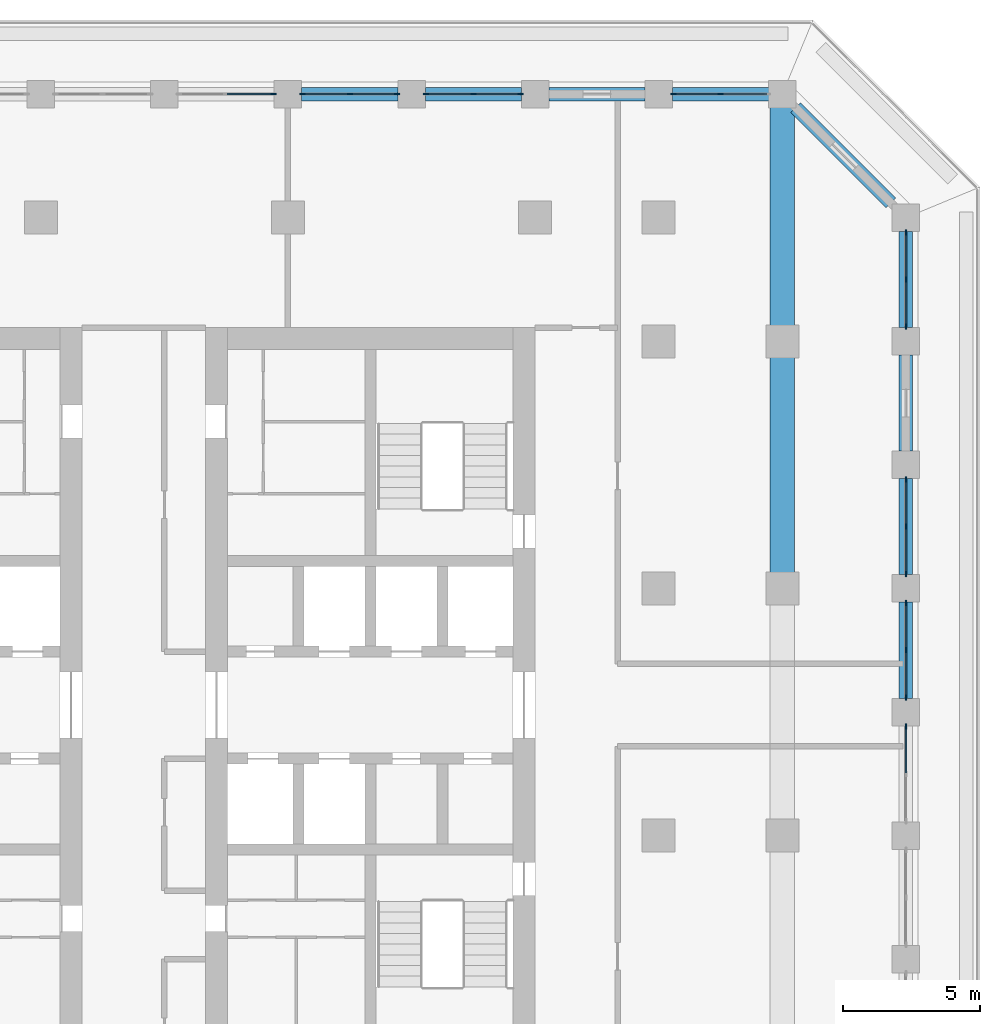
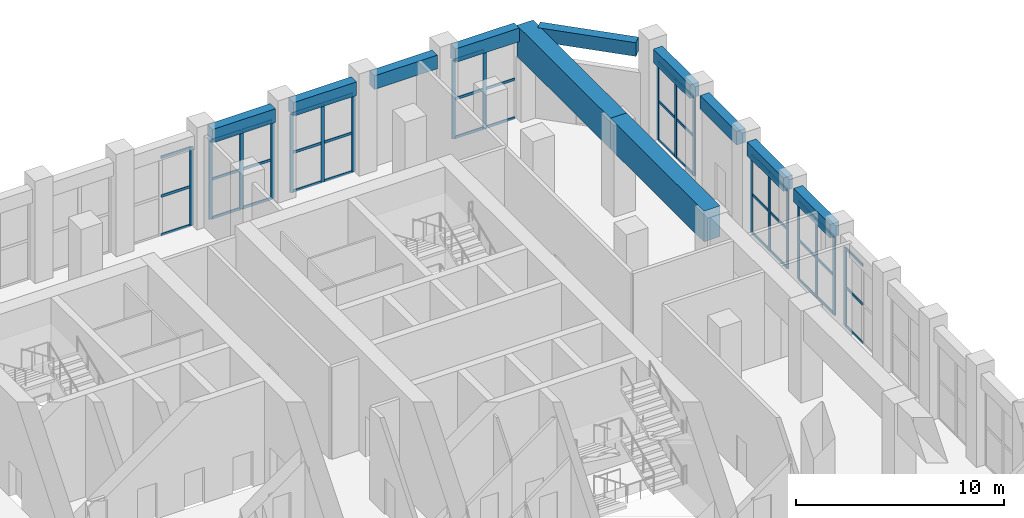
# One storey, part 8 of 25: 60 members, 11 beams, 8 elements without a shape of their own.
"""IFC4 building model written with IfcOpenShell, lengths in metres."""

from ifc_helpers import new_model, si_unit, direction, frame, origin, origin_2d, place, context, subcontext, project, spatial, rectangle, extrude, material, material_profile, profile_set, type_object, element, aggregate, save


model = new_model("IFC4")

# Units and contexts
model_context = context("Model", 3, precision=1e-05, world=origin(), true_north=direction((0.0, 1.0)))
body_context = subcontext(model_context, "Body", "Model", "MODEL_VIEW")
ifc_project = project(units=[si_unit("LENGTHUNIT", "METRE"), si_unit("AREAUNIT", "SQUARE_METRE"), si_unit("VOLUMEUNIT", "CUBIC_METRE"), si_unit("PLANEANGLEUNIT", "RADIAN"), si_unit("MASSUNIT", "GRAM", prefix="KILO")], contexts=[model_context])

# Site, building, storey
site_placement = place(None, origin())
site = spatial("IfcSite", under=ifc_project, at=site_placement, CompositionType="ELEMENT")
building_placement = place(site_placement, origin())
building = spatial("IfcBuilding", under=site, at=building_placement, Name="Corbel Stack Research Tower", CompositionType="ELEMENT")
storey_placement = place(building_placement, frame((0.0, 0.0, 220.199951171875)))
storey = spatial("IfcBuildingStorey", under=building, at=storey_placement, Name="L50", CompositionType="ELEMENT", Elevation=220.199951171875)

# Curtain wall, member
ifc_material_1 = material(Name="Aluminium frame, clear glass", Category="aluminium")
curtain_wall_type = type_object("IfcCurtainWallType", Name="Upper amenity floor curtain wall CW3", PredefinedType="NOTDEFINED", material=ifc_material_1)
curtain_wall_1_placement = place(storey_placement, origin())
curtain_wall_1 = element("IfcCurtainWall", 1, at=curtain_wall_1_placement, inside=storey, type_object=curtain_wall_type, Name="Curtain wall CW3 L50 E06", PredefinedType="NOTDEFINED")
ifc_material_2 = material(Name="Aluminium mullion", Category="aluminium")
ifc_material_profile_1 = material_profile(ifc_material_2, rectangle(XDim=0.06005859375, YDim=0.199951171875, at=origin_2d()), Name="Mullion 60 x 200")
ifc_profile_set_1 = profile_set([ifc_material_profile_1], Name="Aluminium mullion")
member_type_1 = type_object("IfcMemberType", Name="Curtain wall mullion 60 x 200", PredefinedType="MULLION", material=ifc_profile_set_1)
member_1_placement = place(storey_placement, frame((31.5, 3.969970703125, 0.0), z_axis=(0.0, 0.0, 1.0), x_axis=(-1.0, 0.0, 0.0)))
member_1 = element("IfcMember", 2, at=member_1_placement, type_object=member_type_1, Name="CW3 mullion 3", PredefinedType="MULLION", context=body_context, shape_type="SweptSolid", body=[
    extrude(rectangle(XDim=0.06005859375, YDim=0.199951171875, at=origin_2d()), origin(), (0.0, 0.0, 1.0), 4.60009765625),
])

# Curtain wall, members
curtain_wall_2_placement = place(storey_placement, origin())
curtain_wall_2 = element("IfcCurtainWall", 3, at=curtain_wall_2_placement, inside=storey, type_object=curtain_wall_type, Name="Curtain wall CW3 L50 E07", PredefinedType="NOTDEFINED")
member_2_placement = place(storey_placement, frame((31.5, 5.030029296875, 0.0), z_axis=(0.0, 0.0, 1.0), x_axis=(-1.0, 0.0, 0.0)))
member_2 = element("IfcMember", 4, at=member_2_placement, type_object=member_type_1, Name="CW3 mullion 1", PredefinedType="MULLION", context=body_context, shape_type="SweptSolid", body=[
    extrude(rectangle(XDim=0.06005859375, YDim=0.199951171875, at=origin_2d()), origin(), (0.0, 0.0, 1.0), 4.60009765625),
])
member_3_placement = place(storey_placement, frame((31.5, 6.75, 0.0), z_axis=(0.0, 0.0, 1.0), x_axis=(-1.0, 0.0, 0.0)))
member_3 = element("IfcMember", 5, at=member_3_placement, type_object=member_type_1, Name="CW3 mullion 2", PredefinedType="MULLION", context=body_context, shape_type="SweptSolid", body=[
    extrude(rectangle(XDim=0.06005859375, YDim=0.199951171875, at=origin_2d()), origin(), (0.0, 0.0, 1.0), 4.60009765625),
])
member_4_placement = place(storey_placement, frame((31.5, 8.469970703125, 0.0), z_axis=(0.0, 0.0, 1.0), x_axis=(-1.0, 0.0, 0.0)))
member_4 = element("IfcMember", 6, at=member_4_placement, type_object=member_type_1, Name="CW3 mullion 3", PredefinedType="MULLION", context=body_context, shape_type="SweptSolid", body=[
    extrude(rectangle(XDim=0.06005859375, YDim=0.199951171875, at=origin_2d()), origin(), (0.0, 0.0, 1.0), 4.60009765625),
])

curtain_wall_3_placement = place(storey_placement, origin())
curtain_wall_3 = element("IfcCurtainWall", 7, at=curtain_wall_3_placement, inside=storey, type_object=curtain_wall_type, Name="Curtain wall CW3 L50 E08", PredefinedType="NOTDEFINED")
member_5_placement = place(storey_placement, frame((31.5, 9.530029296875, 0.0), z_axis=(0.0, 0.0, 1.0), x_axis=(-1.0, 0.0, 0.0)))
member_5 = element("IfcMember", 8, at=member_5_placement, type_object=member_type_1, Name="CW3 mullion 1", PredefinedType="MULLION", context=body_context, shape_type="SweptSolid", body=[
    extrude(rectangle(XDim=0.06005859375, YDim=0.199951171875, at=origin_2d()), origin(), (0.0, 0.0, 1.0), 4.60009765625),
])
member_6_placement = place(storey_placement, frame((31.5, 11.25, 0.0), z_axis=(0.0, 0.0, 1.0), x_axis=(-1.0, 0.0, 0.0)))
member_6 = element("IfcMember", 9, at=member_6_placement, type_object=member_type_1, Name="CW3 mullion 2", PredefinedType="MULLION", context=body_context, shape_type="SweptSolid", body=[
    extrude(rectangle(XDim=0.06005859375, YDim=0.199951171875, at=origin_2d()), origin(), (0.0, 0.0, 1.0), 4.60009765625),
])
member_7_placement = place(storey_placement, frame((31.5, 12.969970703125, 0.0), z_axis=(0.0, 0.0, 1.0), x_axis=(-1.0, 0.0, 0.0)))
member_7 = element("IfcMember", 10, at=member_7_placement, type_object=member_type_1, Name="CW3 mullion 3", PredefinedType="MULLION", context=body_context, shape_type="SweptSolid", body=[
    extrude(rectangle(XDim=0.06005859375, YDim=0.199951171875, at=origin_2d()), origin(), (0.0, 0.0, 1.0), 4.60009765625),
])

curtain_wall_4_placement = place(storey_placement, origin())
curtain_wall_4 = element("IfcCurtainWall", 11, at=curtain_wall_4_placement, inside=storey, type_object=curtain_wall_type, Name="Curtain wall CW3 L50 E10", PredefinedType="NOTDEFINED")
member_8_placement = place(storey_placement, frame((31.5, 18.530029296875, 0.0), z_axis=(0.0, 0.0, 1.0), x_axis=(-1.0, 0.0, 0.0)))
member_8 = element("IfcMember", 12, at=member_8_placement, type_object=member_type_1, Name="CW3 mullion 1", PredefinedType="MULLION", context=body_context, shape_type="SweptSolid", body=[
    extrude(rectangle(XDim=0.06005859375, YDim=0.199951171875, at=origin_2d()), origin(), (0.0, 0.0, 1.0), 4.60009765625),
])
member_9_placement = place(storey_placement, frame((31.5, 20.25, 0.0), z_axis=(0.0, 0.0, 1.0), x_axis=(-1.0, 0.0, 0.0)))
member_9 = element("IfcMember", 13, at=member_9_placement, type_object=member_type_1, Name="CW3 mullion 2", PredefinedType="MULLION", context=body_context, shape_type="SweptSolid", body=[
    extrude(rectangle(XDim=0.06005859375, YDim=0.199951171875, at=origin_2d()), origin(), (0.0, 0.0, 1.0), 4.60009765625),
])
member_10_placement = place(storey_placement, frame((31.5, 21.969970703125, 0.0), z_axis=(0.0, 0.0, 1.0), x_axis=(-1.0, 0.0, 0.0)))
member_10 = element("IfcMember", 14, at=member_10_placement, type_object=member_type_1, Name="CW3 mullion 3", PredefinedType="MULLION", context=body_context, shape_type="SweptSolid", body=[
    extrude(rectangle(XDim=0.06005859375, YDim=0.199951171875, at=origin_2d()), origin(), (0.0, 0.0, 1.0), 4.60009765625),
])

curtain_wall_5_placement = place(storey_placement, origin())
curtain_wall_5 = element("IfcCurtainWall", 15, at=curtain_wall_5_placement, inside=storey, type_object=curtain_wall_type, Name="Curtain wall CW3 L50 N01", PredefinedType="NOTDEFINED")
member_11_placement = place(storey_placement, frame((24.75, 27.0, 0.0), z_axis=(0.0, 0.0, 1.0), x_axis=(0.0, -1.0, 0.0)))
member_11 = element("IfcMember", 16, at=member_11_placement, type_object=member_type_1, Name="CW3 mullion 2", PredefinedType="MULLION", context=body_context, shape_type="SweptSolid", body=[
    extrude(rectangle(XDim=0.06005859375, YDim=0.199951171875, at=origin_2d()), origin(), (0.0, 0.0, 1.0), 4.60009765625),
])
member_12_placement = place(storey_placement, frame((23.030029296875, 27.0, 0.0), z_axis=(0.0, 0.0, 1.0), x_axis=(0.0, -1.0, 0.0)))
member_12 = element("IfcMember", 17, at=member_12_placement, type_object=member_type_1, Name="CW3 mullion 3", PredefinedType="MULLION", context=body_context, shape_type="SweptSolid", body=[
    extrude(rectangle(XDim=0.06005859375, YDim=0.199951171875, at=origin_2d()), origin(), (0.0, 0.0, 1.0), 4.60009765625),
])

curtain_wall_6_placement = place(storey_placement, origin())
curtain_wall_6 = element("IfcCurtainWall", 18, at=curtain_wall_6_placement, inside=storey, type_object=curtain_wall_type, Name="Curtain wall CW3 L50 N03", PredefinedType="NOTDEFINED")
member_13_placement = place(storey_placement, frame((17.469970703125, 27.0, 0.0), z_axis=(0.0, 0.0, 1.0), x_axis=(0.0, -1.0, 0.0)))
member_13 = element("IfcMember", 19, at=member_13_placement, type_object=member_type_1, Name="CW3 mullion 1", PredefinedType="MULLION", context=body_context, shape_type="SweptSolid", body=[
    extrude(rectangle(XDim=0.06005859375, YDim=0.199951171875, at=origin_2d()), origin(), (0.0, 0.0, 1.0), 4.60009765625),
])
member_14_placement = place(storey_placement, frame((15.75, 27.0, 0.0), z_axis=(0.0, 0.0, 1.0), x_axis=(0.0, -1.0, 0.0)))
member_14 = element("IfcMember", 20, at=member_14_placement, type_object=member_type_1, Name="CW3 mullion 2", PredefinedType="MULLION", context=body_context, shape_type="SweptSolid", body=[
    extrude(rectangle(XDim=0.06005859375, YDim=0.199951171875, at=origin_2d()), origin(), (0.0, 0.0, 1.0), 4.60009765625),
])
member_15_placement = place(storey_placement, frame((14.030029296875, 27.0, 0.0), z_axis=(0.0, 0.0, 1.0), x_axis=(0.0, -1.0, 0.0)))
member_15 = element("IfcMember", 21, at=member_15_placement, type_object=member_type_1, Name="CW3 mullion 3", PredefinedType="MULLION", context=body_context, shape_type="SweptSolid", body=[
    extrude(rectangle(XDim=0.06005859375, YDim=0.199951171875, at=origin_2d()), origin(), (0.0, 0.0, 1.0), 4.60009765625),
])

curtain_wall_7_placement = place(storey_placement, origin())
curtain_wall_7 = element("IfcCurtainWall", 22, at=curtain_wall_7_placement, inside=storey, type_object=curtain_wall_type, Name="Curtain wall CW3 L50 N04", PredefinedType="NOTDEFINED")
member_16_placement = place(storey_placement, frame((12.969970703125, 27.0, 0.0), z_axis=(0.0, 0.0, 1.0), x_axis=(0.0, -1.0, 0.0)))
member_16 = element("IfcMember", 23, at=member_16_placement, type_object=member_type_1, Name="CW3 mullion 1", PredefinedType="MULLION", context=body_context, shape_type="SweptSolid", body=[
    extrude(rectangle(XDim=0.06005859375, YDim=0.199951171875, at=origin_2d()), origin(), (0.0, 0.0, 1.0), 4.60009765625),
])
member_17_placement = place(storey_placement, frame((11.25, 27.0, 0.0), z_axis=(0.0, 0.0, 1.0), x_axis=(0.0, -1.0, 0.0)))
member_17 = element("IfcMember", 24, at=member_17_placement, type_object=member_type_1, Name="CW3 mullion 2", PredefinedType="MULLION", context=body_context, shape_type="SweptSolid", body=[
    extrude(rectangle(XDim=0.06005859375, YDim=0.199951171875, at=origin_2d()), origin(), (0.0, 0.0, 1.0), 4.60009765625),
])
member_18_placement = place(storey_placement, frame((9.530029296875, 27.0, 0.0), z_axis=(0.0, 0.0, 1.0), x_axis=(0.0, -1.0, 0.0)))
member_18 = element("IfcMember", 25, at=member_18_placement, type_object=member_type_1, Name="CW3 mullion 3", PredefinedType="MULLION", context=body_context, shape_type="SweptSolid", body=[
    extrude(rectangle(XDim=0.06005859375, YDim=0.199951171875, at=origin_2d()), origin(), (0.0, 0.0, 1.0), 4.60009765625),
])

# Curtain wall, member
curtain_wall_8_placement = place(storey_placement, origin())
curtain_wall_8 = element("IfcCurtainWall", 26, at=curtain_wall_8_placement, inside=storey, type_object=curtain_wall_type, Name="Curtain wall CW3 L50 N05", PredefinedType="NOTDEFINED")
member_19_placement = place(storey_placement, frame((8.469970703125, 27.0, 0.0), z_axis=(0.0, 0.0, 1.0), x_axis=(0.0, -1.0, 0.0)))
member_19 = element("IfcMember", 27, at=member_19_placement, type_object=member_type_1, Name="CW3 mullion 1", PredefinedType="MULLION", context=body_context, shape_type="SweptSolid", body=[
    extrude(rectangle(XDim=0.06005859375, YDim=0.199951171875, at=origin_2d()), origin(), (0.0, 0.0, 1.0), 4.60009765625),
])

# Member
ifc_material_3 = material(Name="Aluminium transom", Category="aluminium")
ifc_material_profile_2 = material_profile(ifc_material_3, rectangle(XDim=0.06005859375, YDim=0.14990234375, at=origin_2d()), Name="Transom 60 x 150")
ifc_profile_set_2 = profile_set([ifc_material_profile_2], Name="Aluminium transom")
member_type_2 = type_object("IfcMemberType", Name="Curtain wall transom 60 x 150", PredefinedType="USERDEFINED", material=ifc_profile_set_2)
member_20_placement = place(storey_placement, frame((31.5, 2.280029296875, 0.030029296875), z_axis=(0.0, 1.0, 0.0), x_axis=(-1.0, 0.0, 0.0)))
member_20 = element("IfcMember", 28, at=member_20_placement, type_object=member_type_2, Name="CW3 transom 2.1", ObjectType="TRANSOM", PredefinedType="USERDEFINED", context=body_context, shape_type="SweptSolid", body=[
    extrude(rectangle(XDim=0.06005859375, YDim=0.14990234375, at=origin_2d()), origin(), (0.0, 0.0, 1.0), 1.659912109375),
])

member_21_placement = place(storey_placement, frame((31.5, 2.280029296875, 2.300048828125), z_axis=(0.0, 1.0, 0.0), x_axis=(-1.0, 0.0, 0.0)))
member_21 = element("IfcMember", 29, at=member_21_placement, type_object=member_type_2, Name="CW3 transom 2.2", ObjectType="TRANSOM", PredefinedType="USERDEFINED", context=body_context, shape_type="SweptSolid", body=[
    extrude(rectangle(XDim=0.06005859375, YDim=0.14990234375, at=origin_2d()), origin(), (0.0, 0.0, 1.0), 1.659912109375),
])

member_22_placement = place(storey_placement, frame((31.5, 2.280029296875, 4.570068359375), z_axis=(0.0, 1.0, 0.0), x_axis=(-1.0, 0.0, 0.0)))
member_22 = element("IfcMember", 30, at=member_22_placement, type_object=member_type_2, Name="CW3 transom 2.3", ObjectType="TRANSOM", PredefinedType="USERDEFINED", context=body_context, shape_type="SweptSolid", body=[
    extrude(rectangle(XDim=0.06005859375, YDim=0.14990234375, at=origin_2d()), origin(), (0.0, 0.0, 1.0), 1.659912109375),
])

aggregate(curtain_wall_1, [member_1, member_20, member_21, member_22])

member_23_placement = place(storey_placement, frame((31.5, 5.06005859375, 0.030029296875), z_axis=(0.0, 1.0, 0.0), x_axis=(-1.0, 0.0, 0.0)))
member_23 = element("IfcMember", 31, at=member_23_placement, type_object=member_type_2, Name="CW3 transom 1.1", ObjectType="TRANSOM", PredefinedType="USERDEFINED", context=body_context, shape_type="SweptSolid", body=[
    extrude(rectangle(XDim=0.06005859375, YDim=0.14990234375, at=origin_2d()), origin(), (0.0, 0.0, 1.0), 1.659912109375),
])

member_24_placement = place(storey_placement, frame((31.5, 5.06005859375, 2.300048828125), z_axis=(0.0, 1.0, 0.0), x_axis=(-1.0, 0.0, 0.0)))
member_24 = element("IfcMember", 32, at=member_24_placement, type_object=member_type_2, Name="CW3 transom 1.2", ObjectType="TRANSOM", PredefinedType="USERDEFINED", context=body_context, shape_type="SweptSolid", body=[
    extrude(rectangle(XDim=0.06005859375, YDim=0.14990234375, at=origin_2d()), origin(), (0.0, 0.0, 1.0), 1.659912109375),
])

member_25_placement = place(storey_placement, frame((31.5, 5.06005859375, 4.570068359375), z_axis=(0.0, 1.0, 0.0), x_axis=(-1.0, 0.0, 0.0)))
member_25 = element("IfcMember", 33, at=member_25_placement, type_object=member_type_2, Name="CW3 transom 1.3", ObjectType="TRANSOM", PredefinedType="USERDEFINED", context=body_context, shape_type="SweptSolid", body=[
    extrude(rectangle(XDim=0.06005859375, YDim=0.14990234375, at=origin_2d()), origin(), (0.0, 0.0, 1.0), 1.659912109375),
])

member_26_placement = place(storey_placement, frame((31.5, 6.780029296875, 0.030029296875), z_axis=(0.0, 1.0, 0.0), x_axis=(-1.0, 0.0, 0.0)))
member_26 = element("IfcMember", 34, at=member_26_placement, type_object=member_type_2, Name="CW3 transom 2.1", ObjectType="TRANSOM", PredefinedType="USERDEFINED", context=body_context, shape_type="SweptSolid", body=[
    extrude(rectangle(XDim=0.06005859375, YDim=0.14990234375, at=origin_2d()), origin(), (0.0, 0.0, 1.0), 1.659912109375),
])

member_27_placement = place(storey_placement, frame((31.5, 6.780029296875, 2.300048828125), z_axis=(0.0, 1.0, 0.0), x_axis=(-1.0, 0.0, 0.0)))
member_27 = element("IfcMember", 35, at=member_27_placement, type_object=member_type_2, Name="CW3 transom 2.2", ObjectType="TRANSOM", PredefinedType="USERDEFINED", context=body_context, shape_type="SweptSolid", body=[
    extrude(rectangle(XDim=0.06005859375, YDim=0.14990234375, at=origin_2d()), origin(), (0.0, 0.0, 1.0), 1.659912109375),
])

member_28_placement = place(storey_placement, frame((31.5, 6.780029296875, 4.570068359375), z_axis=(0.0, 1.0, 0.0), x_axis=(-1.0, 0.0, 0.0)))
member_28 = element("IfcMember", 36, at=member_28_placement, type_object=member_type_2, Name="CW3 transom 2.3", ObjectType="TRANSOM", PredefinedType="USERDEFINED", context=body_context, shape_type="SweptSolid", body=[
    extrude(rectangle(XDim=0.06005859375, YDim=0.14990234375, at=origin_2d()), origin(), (0.0, 0.0, 1.0), 1.659912109375),
])

aggregate(curtain_wall_2, [member_2, member_3, member_4, member_23, member_24, member_25, member_26, member_27, member_28])

member_29_placement = place(storey_placement, frame((31.5, 9.56005859375, 0.030029296875), z_axis=(0.0, 1.0, 0.0), x_axis=(-1.0, 0.0, 0.0)))
member_29 = element("IfcMember", 37, at=member_29_placement, type_object=member_type_2, Name="CW3 transom 1.1", ObjectType="TRANSOM", PredefinedType="USERDEFINED", context=body_context, shape_type="SweptSolid", body=[
    extrude(rectangle(XDim=0.06005859375, YDim=0.14990234375, at=origin_2d()), origin(), (0.0, 0.0, 1.0), 1.659912109375),
])

member_30_placement = place(storey_placement, frame((31.5, 9.56005859375, 2.300048828125), z_axis=(0.0, 1.0, 0.0), x_axis=(-1.0, 0.0, 0.0)))
member_30 = element("IfcMember", 38, at=member_30_placement, type_object=member_type_2, Name="CW3 transom 1.2", ObjectType="TRANSOM", PredefinedType="USERDEFINED", context=body_context, shape_type="SweptSolid", body=[
    extrude(rectangle(XDim=0.06005859375, YDim=0.14990234375, at=origin_2d()), origin(), (0.0, 0.0, 1.0), 1.659912109375),
])

member_31_placement = place(storey_placement, frame((31.5, 9.56005859375, 4.570068359375), z_axis=(0.0, 1.0, 0.0), x_axis=(-1.0, 0.0, 0.0)))
member_31 = element("IfcMember", 39, at=member_31_placement, type_object=member_type_2, Name="CW3 transom 1.3", ObjectType="TRANSOM", PredefinedType="USERDEFINED", context=body_context, shape_type="SweptSolid", body=[
    extrude(rectangle(XDim=0.06005859375, YDim=0.14990234375, at=origin_2d()), origin(), (0.0, 0.0, 1.0), 1.659912109375),
])

member_32_placement = place(storey_placement, frame((31.5, 11.280029296875, 0.030029296875), z_axis=(0.0, 1.0, 0.0), x_axis=(-1.0, 0.0, 0.0)))
member_32 = element("IfcMember", 40, at=member_32_placement, type_object=member_type_2, Name="CW3 transom 2.1", ObjectType="TRANSOM", PredefinedType="USERDEFINED", context=body_context, shape_type="SweptSolid", body=[
    extrude(rectangle(XDim=0.06005859375, YDim=0.14990234375, at=origin_2d()), origin(), (0.0, 0.0, 1.0), 1.659912109375),
])

member_33_placement = place(storey_placement, frame((31.5, 11.280029296875, 2.300048828125), z_axis=(0.0, 1.0, 0.0), x_axis=(-1.0, 0.0, 0.0)))
member_33 = element("IfcMember", 41, at=member_33_placement, type_object=member_type_2, Name="CW3 transom 2.2", ObjectType="TRANSOM", PredefinedType="USERDEFINED", context=body_context, shape_type="SweptSolid", body=[
    extrude(rectangle(XDim=0.06005859375, YDim=0.14990234375, at=origin_2d()), origin(), (0.0, 0.0, 1.0), 1.659912109375),
])

member_34_placement = place(storey_placement, frame((31.5, 11.280029296875, 4.570068359375), z_axis=(0.0, 1.0, 0.0), x_axis=(-1.0, 0.0, 0.0)))
member_34 = element("IfcMember", 42, at=member_34_placement, type_object=member_type_2, Name="CW3 transom 2.3", ObjectType="TRANSOM", PredefinedType="USERDEFINED", context=body_context, shape_type="SweptSolid", body=[
    extrude(rectangle(XDim=0.06005859375, YDim=0.14990234375, at=origin_2d()), origin(), (0.0, 0.0, 1.0), 1.659912109375),
])

aggregate(curtain_wall_3, [member_5, member_6, member_7, member_29, member_30, member_31, member_32, member_33, member_34])

member_35_placement = place(storey_placement, frame((31.5, 18.56005859375, 0.030029296875), z_axis=(0.0, 1.0, 0.0), x_axis=(-1.0, 0.0, 0.0)))
member_35 = element("IfcMember", 43, at=member_35_placement, type_object=member_type_2, Name="CW3 transom 1.1", ObjectType="TRANSOM", PredefinedType="USERDEFINED", context=body_context, shape_type="SweptSolid", body=[
    extrude(rectangle(XDim=0.06005859375, YDim=0.14990234375, at=origin_2d()), origin(), (0.0, 0.0, 1.0), 1.659912109375),
])

member_36_placement = place(storey_placement, frame((31.5, 18.56005859375, 2.300048828125), z_axis=(0.0, 1.0, 0.0), x_axis=(-1.0, 0.0, 0.0)))
member_36 = element("IfcMember", 44, at=member_36_placement, type_object=member_type_2, Name="CW3 transom 1.2", ObjectType="TRANSOM", PredefinedType="USERDEFINED", context=body_context, shape_type="SweptSolid", body=[
    extrude(rectangle(XDim=0.06005859375, YDim=0.14990234375, at=origin_2d()), origin(), (0.0, 0.0, 1.0), 1.659912109375),
])

member_37_placement = place(storey_placement, frame((31.5, 18.56005859375, 4.570068359375), z_axis=(0.0, 1.0, 0.0), x_axis=(-1.0, 0.0, 0.0)))
member_37 = element("IfcMember", 45, at=member_37_placement, type_object=member_type_2, Name="CW3 transom 1.3", ObjectType="TRANSOM", PredefinedType="USERDEFINED", context=body_context, shape_type="SweptSolid", body=[
    extrude(rectangle(XDim=0.06005859375, YDim=0.14990234375, at=origin_2d()), origin(), (0.0, 0.0, 1.0), 1.659912109375),
])

member_38_placement = place(storey_placement, frame((31.5, 20.280029296875, 0.030029296875), z_axis=(0.0, 1.0, 0.0), x_axis=(-1.0, 0.0, 0.0)))
member_38 = element("IfcMember", 46, at=member_38_placement, type_object=member_type_2, Name="CW3 transom 2.1", ObjectType="TRANSOM", PredefinedType="USERDEFINED", context=body_context, shape_type="SweptSolid", body=[
    extrude(rectangle(XDim=0.06005859375, YDim=0.14990234375, at=origin_2d()), origin(), (0.0, 0.0, 1.0), 1.659912109375),
])

member_39_placement = place(storey_placement, frame((31.5, 20.280029296875, 2.300048828125), z_axis=(0.0, 1.0, 0.0), x_axis=(-1.0, 0.0, 0.0)))
member_39 = element("IfcMember", 47, at=member_39_placement, type_object=member_type_2, Name="CW3 transom 2.2", ObjectType="TRANSOM", PredefinedType="USERDEFINED", context=body_context, shape_type="SweptSolid", body=[
    extrude(rectangle(XDim=0.06005859375, YDim=0.14990234375, at=origin_2d()), origin(), (0.0, 0.0, 1.0), 1.659912109375),
])

member_40_placement = place(storey_placement, frame((31.5, 20.280029296875, 4.570068359375), z_axis=(0.0, 1.0, 0.0), x_axis=(-1.0, 0.0, 0.0)))
member_40 = element("IfcMember", 48, at=member_40_placement, type_object=member_type_2, Name="CW3 transom 2.3", ObjectType="TRANSOM", PredefinedType="USERDEFINED", context=body_context, shape_type="SweptSolid", body=[
    extrude(rectangle(XDim=0.06005859375, YDim=0.14990234375, at=origin_2d()), origin(), (0.0, 0.0, 1.0), 1.659912109375),
])

aggregate(curtain_wall_4, [member_8, member_9, member_10, member_35, member_36, member_37, member_38, member_39, member_40])

member_41_placement = place(storey_placement, frame((26.43994140625, 27.0, 0.030029296875), z_axis=(-1.0, 0.0, 0.0), x_axis=(0.0, -1.0, 0.0)))
member_41 = element("IfcMember", 49, at=member_41_placement, type_object=member_type_2, Name="CW3 transom 1.1", ObjectType="TRANSOM", PredefinedType="USERDEFINED", context=body_context, shape_type="SweptSolid", body=[
    extrude(rectangle(XDim=0.06005859375, YDim=0.14990234375, at=origin_2d()), origin(), (0.0, 0.0, 1.0), 1.659912109375),
])

member_42_placement = place(storey_placement, frame((26.43994140625, 27.0, 2.300048828125), z_axis=(-1.0, 0.0, 0.0), x_axis=(0.0, -1.0, 0.0)))
member_42 = element("IfcMember", 50, at=member_42_placement, type_object=member_type_2, Name="CW3 transom 1.2", ObjectType="TRANSOM", PredefinedType="USERDEFINED", context=body_context, shape_type="SweptSolid", body=[
    extrude(rectangle(XDim=0.06005859375, YDim=0.14990234375, at=origin_2d()), origin(), (0.0, 0.0, 1.0), 1.659912109375),
])

member_43_placement = place(storey_placement, frame((24.719970703125, 27.0, 0.030029296875), z_axis=(-1.0, 0.0, 0.0), x_axis=(0.0, -1.0, 0.0)))
member_43 = element("IfcMember", 51, at=member_43_placement, type_object=member_type_2, Name="CW3 transom 2.1", ObjectType="TRANSOM", PredefinedType="USERDEFINED", context=body_context, shape_type="SweptSolid", body=[
    extrude(rectangle(XDim=0.06005859375, YDim=0.14990234375, at=origin_2d()), origin(), (0.0, 0.0, 1.0), 1.659912109375),
])

member_44_placement = place(storey_placement, frame((24.719970703125, 27.0, 2.300048828125), z_axis=(-1.0, 0.0, 0.0), x_axis=(0.0, -1.0, 0.0)))
member_44 = element("IfcMember", 52, at=member_44_placement, type_object=member_type_2, Name="CW3 transom 2.2", ObjectType="TRANSOM", PredefinedType="USERDEFINED", context=body_context, shape_type="SweptSolid", body=[
    extrude(rectangle(XDim=0.06005859375, YDim=0.14990234375, at=origin_2d()), origin(), (0.0, 0.0, 1.0), 1.659912109375),
])

member_45_placement = place(storey_placement, frame((24.719970703125, 27.0, 4.570068359375), z_axis=(-1.0, 0.0, 0.0), x_axis=(0.0, -1.0, 0.0)))
member_45 = element("IfcMember", 53, at=member_45_placement, type_object=member_type_2, Name="CW3 transom 2.3", ObjectType="TRANSOM", PredefinedType="USERDEFINED", context=body_context, shape_type="SweptSolid", body=[
    extrude(rectangle(XDim=0.06005859375, YDim=0.14990234375, at=origin_2d()), origin(), (0.0, 0.0, 1.0), 1.659912109375),
])

aggregate(curtain_wall_5, [member_11, member_12, member_41, member_42, member_43, member_44, member_45])

member_46_placement = place(storey_placement, frame((17.43994140625, 27.0, 0.030029296875), z_axis=(-1.0, 0.0, 0.0), x_axis=(0.0, -1.0, 0.0)))
member_46 = element("IfcMember", 54, at=member_46_placement, type_object=member_type_2, Name="CW3 transom 1.1", ObjectType="TRANSOM", PredefinedType="USERDEFINED", context=body_context, shape_type="SweptSolid", body=[
    extrude(rectangle(XDim=0.06005859375, YDim=0.14990234375, at=origin_2d()), origin(), (0.0, 0.0, 1.0), 1.659912109375),
])

member_47_placement = place(storey_placement, frame((17.43994140625, 27.0, 2.300048828125), z_axis=(-1.0, 0.0, 0.0), x_axis=(0.0, -1.0, 0.0)))
member_47 = element("IfcMember", 55, at=member_47_placement, type_object=member_type_2, Name="CW3 transom 1.2", ObjectType="TRANSOM", PredefinedType="USERDEFINED", context=body_context, shape_type="SweptSolid", body=[
    extrude(rectangle(XDim=0.06005859375, YDim=0.14990234375, at=origin_2d()), origin(), (0.0, 0.0, 1.0), 1.659912109375),
])

member_48_placement = place(storey_placement, frame((17.43994140625, 27.0, 4.570068359375), z_axis=(-1.0, 0.0, 0.0), x_axis=(0.0, -1.0, 0.0)))
member_48 = element("IfcMember", 56, at=member_48_placement, type_object=member_type_2, Name="CW3 transom 1.3", ObjectType="TRANSOM", PredefinedType="USERDEFINED", context=body_context, shape_type="SweptSolid", body=[
    extrude(rectangle(XDim=0.06005859375, YDim=0.14990234375, at=origin_2d()), origin(), (0.0, 0.0, 1.0), 1.659912109375),
])

member_49_placement = place(storey_placement, frame((15.719970703125, 27.0, 0.030029296875), z_axis=(-1.0, 0.0, 0.0), x_axis=(0.0, -1.0, 0.0)))
member_49 = element("IfcMember", 57, at=member_49_placement, type_object=member_type_2, Name="CW3 transom 2.1", ObjectType="TRANSOM", PredefinedType="USERDEFINED", context=body_context, shape_type="SweptSolid", body=[
    extrude(rectangle(XDim=0.06005859375, YDim=0.14990234375, at=origin_2d()), origin(), (0.0, 0.0, 1.0), 1.659912109375),
])

member_50_placement = place(storey_placement, frame((15.719970703125, 27.0, 2.300048828125), z_axis=(-1.0, 0.0, 0.0), x_axis=(0.0, -1.0, 0.0)))
member_50 = element("IfcMember", 58, at=member_50_placement, type_object=member_type_2, Name="CW3 transom 2.2", ObjectType="TRANSOM", PredefinedType="USERDEFINED", context=body_context, shape_type="SweptSolid", body=[
    extrude(rectangle(XDim=0.06005859375, YDim=0.14990234375, at=origin_2d()), origin(), (0.0, 0.0, 1.0), 1.659912109375),
])

member_51_placement = place(storey_placement, frame((15.719970703125, 27.0, 4.570068359375), z_axis=(-1.0, 0.0, 0.0), x_axis=(0.0, -1.0, 0.0)))
member_51 = element("IfcMember", 59, at=member_51_placement, type_object=member_type_2, Name="CW3 transom 2.3", ObjectType="TRANSOM", PredefinedType="USERDEFINED", context=body_context, shape_type="SweptSolid", body=[
    extrude(rectangle(XDim=0.06005859375, YDim=0.14990234375, at=origin_2d()), origin(), (0.0, 0.0, 1.0), 1.659912109375),
])

aggregate(curtain_wall_6, [member_13, member_14, member_15, member_46, member_47, member_48, member_49, member_50, member_51])

member_52_placement = place(storey_placement, frame((12.93994140625, 27.0, 0.030029296875), z_axis=(-1.0, 0.0, 0.0), x_axis=(0.0, -1.0, 0.0)))
member_52 = element("IfcMember", 60, at=member_52_placement, type_object=member_type_2, Name="CW3 transom 1.1", ObjectType="TRANSOM", PredefinedType="USERDEFINED", context=body_context, shape_type="SweptSolid", body=[
    extrude(rectangle(XDim=0.06005859375, YDim=0.14990234375, at=origin_2d()), origin(), (0.0, 0.0, 1.0), 1.659912109375),
])

member_53_placement = place(storey_placement, frame((12.93994140625, 27.0, 2.300048828125), z_axis=(-1.0, 0.0, 0.0), x_axis=(0.0, -1.0, 0.0)))
member_53 = element("IfcMember", 61, at=member_53_placement, type_object=member_type_2, Name="CW3 transom 1.2", ObjectType="TRANSOM", PredefinedType="USERDEFINED", context=body_context, shape_type="SweptSolid", body=[
    extrude(rectangle(XDim=0.06005859375, YDim=0.14990234375, at=origin_2d()), origin(), (0.0, 0.0, 1.0), 1.659912109375),
])

member_54_placement = place(storey_placement, frame((12.93994140625, 27.0, 4.570068359375), z_axis=(-1.0, 0.0, 0.0), x_axis=(0.0, -1.0, 0.0)))
member_54 = element("IfcMember", 62, at=member_54_placement, type_object=member_type_2, Name="CW3 transom 1.3", ObjectType="TRANSOM", PredefinedType="USERDEFINED", context=body_context, shape_type="SweptSolid", body=[
    extrude(rectangle(XDim=0.06005859375, YDim=0.14990234375, at=origin_2d()), origin(), (0.0, 0.0, 1.0), 1.659912109375),
])

member_55_placement = place(storey_placement, frame((11.219970703125, 27.0, 0.030029296875), z_axis=(-1.0, 0.0, 0.0), x_axis=(0.0, -1.0, 0.0)))
member_55 = element("IfcMember", 63, at=member_55_placement, type_object=member_type_2, Name="CW3 transom 2.1", ObjectType="TRANSOM", PredefinedType="USERDEFINED", context=body_context, shape_type="SweptSolid", body=[
    extrude(rectangle(XDim=0.06005859375, YDim=0.14990234375, at=origin_2d()), origin(), (0.0, 0.0, 1.0), 1.659912109375),
])

member_56_placement = place(storey_placement, frame((11.219970703125, 27.0, 2.300048828125), z_axis=(-1.0, 0.0, 0.0), x_axis=(0.0, -1.0, 0.0)))
member_56 = element("IfcMember", 64, at=member_56_placement, type_object=member_type_2, Name="CW3 transom 2.2", ObjectType="TRANSOM", PredefinedType="USERDEFINED", context=body_context, shape_type="SweptSolid", body=[
    extrude(rectangle(XDim=0.06005859375, YDim=0.14990234375, at=origin_2d()), origin(), (0.0, 0.0, 1.0), 1.659912109375),
])

member_57_placement = place(storey_placement, frame((11.219970703125, 27.0, 4.570068359375), z_axis=(-1.0, 0.0, 0.0), x_axis=(0.0, -1.0, 0.0)))
member_57 = element("IfcMember", 65, at=member_57_placement, type_object=member_type_2, Name="CW3 transom 2.3", ObjectType="TRANSOM", PredefinedType="USERDEFINED", context=body_context, shape_type="SweptSolid", body=[
    extrude(rectangle(XDim=0.06005859375, YDim=0.14990234375, at=origin_2d()), origin(), (0.0, 0.0, 1.0), 1.659912109375),
])

aggregate(curtain_wall_7, [member_16, member_17, member_18, member_52, member_53, member_54, member_55, member_56, member_57])

member_58_placement = place(storey_placement, frame((8.43994140625, 27.0, 0.030029296875), z_axis=(-1.0, 0.0, 0.0), x_axis=(0.0, -1.0, 0.0)))
member_58 = element("IfcMember", 66, at=member_58_placement, type_object=member_type_2, Name="CW3 transom 1.1", ObjectType="TRANSOM", PredefinedType="USERDEFINED", context=body_context, shape_type="SweptSolid", body=[
    extrude(rectangle(XDim=0.06005859375, YDim=0.14990234375, at=origin_2d()), origin(), (0.0, 0.0, 1.0), 1.659912109375),
])

member_59_placement = place(storey_placement, frame((8.43994140625, 27.0, 2.300048828125), z_axis=(-1.0, 0.0, 0.0), x_axis=(0.0, -1.0, 0.0)))
member_59 = element("IfcMember", 67, at=member_59_placement, type_object=member_type_2, Name="CW3 transom 1.2", ObjectType="TRANSOM", PredefinedType="USERDEFINED", context=body_context, shape_type="SweptSolid", body=[
    extrude(rectangle(XDim=0.06005859375, YDim=0.14990234375, at=origin_2d()), origin(), (0.0, 0.0, 1.0), 1.659912109375),
])

member_60_placement = place(storey_placement, frame((8.43994140625, 27.0, 4.570068359375), z_axis=(-1.0, 0.0, 0.0), x_axis=(0.0, -1.0, 0.0)))
member_60 = element("IfcMember", 68, at=member_60_placement, type_object=member_type_2, Name="CW3 transom 1.3", ObjectType="TRANSOM", PredefinedType="USERDEFINED", context=body_context, shape_type="SweptSolid", body=[
    extrude(rectangle(XDim=0.06005859375, YDim=0.14990234375, at=origin_2d()), origin(), (0.0, 0.0, 1.0), 1.659912109375),
])

aggregate(curtain_wall_8, [member_19, member_58, member_59, member_60])

# Beams
ifc_material_4 = material(Name="Concrete C60/75", Category="concrete")
ifc_material_profile_3 = material_profile(ifc_material_4, rectangle(XDim=0.5, YDim=0.800048828125, at=origin_2d()), Name="RC 500 x 800")
ifc_profile_set_3 = profile_set([ifc_material_profile_3], Name="Concrete C60/75")
beam_type_1 = type_object("IfcBeamType", Name="SB-500-800-600", PredefinedType="SPANDREL", material=ifc_profile_set_3)
for number, where, z_axis, x_axis, name in (
    (69, (31.5, 5.0, 5.0), (0.0, 1.0, 0.0), (-1.0, 0.0, 0.0), "Spandrel beam L50-18"),
    (70, (31.5, 9.5, 5.0), (0.0, 1.0, 0.0), (-1.0, 0.0, 0.0), "Spandrel beam L50-19"),
    (71, (31.5, 14.0, 5.0), (0.0, 1.0, 0.0), (-1.0, 0.0, 0.0), "Spandrel beam L50-20"),
    (72, (31.5, 18.5, 5.0), (0.0, 1.0, 0.0), (-1.0, 0.0, 0.0), "Spandrel beam L50-21"),
):
    element("IfcBeam", number, at=place(storey_placement, frame(where, z_axis=z_axis, x_axis=x_axis)), inside=storey, type_object=beam_type_1, Name=name, PredefinedType="SPANDREL", context=body_context, shape_type="SweptSolid", body=[
        extrude(rectangle(XDim=0.5, YDim=0.800048828125, at=origin_2d()), origin(), (0.0, 0.0, 1.0), 3.5),
    ])
beam_1_placement = place(storey_placement, frame((30.95751953125, 23.04248046875, 5.0), z_axis=(-0.707106781187, 0.707106781187, 0.0), x_axis=(-0.707106781187, -0.707106781187, 0.0)))
element("IfcBeam", 73, at=beam_1_placement, inside=storey, type_object=beam_type_1, Name="Spandrel beam L50-22", PredefinedType="SPANDREL", context=body_context, shape_type="SweptSolid", body=[
    extrude(rectangle(XDim=0.5, YDim=0.800048828125, at=origin_2d()), origin(), (0.0, 0.0, 1.0), 4.900390625),
])
beam_2_placement = place(storey_placement, frame((26.550048828125, 27.0, 5.0), z_axis=(-1.0, 0.0, 0.0), x_axis=(0.0, -1.0, 0.0)))
element("IfcBeam", 74, at=beam_2_placement, inside=storey, type_object=beam_type_1, Name="Spandrel beam L50-23", PredefinedType="SPANDREL", context=body_context, shape_type="SweptSolid", body=[
    extrude(rectangle(XDim=0.5, YDim=0.800048828125, at=origin_2d()), origin(), (0.0, 0.0, 1.0), 3.550048828125),
])
for number, where, z_axis, x_axis, name in (
    (75, (22.0, 27.0, 5.0), (-1.0, 0.0, 0.0), (0.0, -1.0, 0.0), "Spandrel beam L50-24"),
    (76, (17.5, 27.0, 5.0), (-1.0, 0.0, 0.0), (0.0, -1.0, 0.0), "Spandrel beam L50-25"),
    (77, (13.0, 27.0, 5.0), (-1.0, 0.0, 0.0), (0.0, -1.0, 0.0), "Spandrel beam L50-26"),
):
    element("IfcBeam", number, at=place(storey_placement, frame(where, z_axis=z_axis, x_axis=x_axis)), inside=storey, type_object=beam_type_1, Name=name, PredefinedType="SPANDREL", context=body_context, shape_type="SweptSolid", body=[
        extrude(rectangle(XDim=0.5, YDim=0.800048828125, at=origin_2d()), origin(), (0.0, 0.0, 1.0), 3.5),
    ])
ifc_material_5 = material(Name="Concrete C60/75", Category="concrete")
ifc_material_profile_4 = material_profile(ifc_material_5, rectangle(XDim=0.89990234375, YDim=1.800048828125, at=origin_2d()), Name="RC 900 x 1800")
ifc_profile_set_4 = profile_set([ifc_material_profile_4], Name="Concrete C60/75")
beam_type_2 = type_object("IfcBeamType", Name="TG-900-1800", PredefinedType="BEAM", material=ifc_profile_set_4)
for number, where, z_axis, x_axis, name in (
    (78, (27.0, 9.0, 4.5), (0.0, 1.0, 0.0), (-1.0, 0.0, 0.0), "Transfer girder along the step L50 El9"),
    (79, (27.0, 18.0, 4.5), (0.0, 1.0, 0.0), (-1.0, 0.0, 0.0), "Transfer girder along the step L50 El18"),
):
    element("IfcBeam", number, at=place(storey_placement, frame(where, z_axis=z_axis, x_axis=x_axis)), inside=storey, type_object=beam_type_2, Name=name, PredefinedType="BEAM", context=body_context, shape_type="SweptSolid", body=[
        extrude(rectangle(XDim=0.89990234375, YDim=1.800048828125, at=origin_2d()), origin(), (0.0, 0.0, 1.0), 9.0),
    ])

save(model, "model.ifc")
